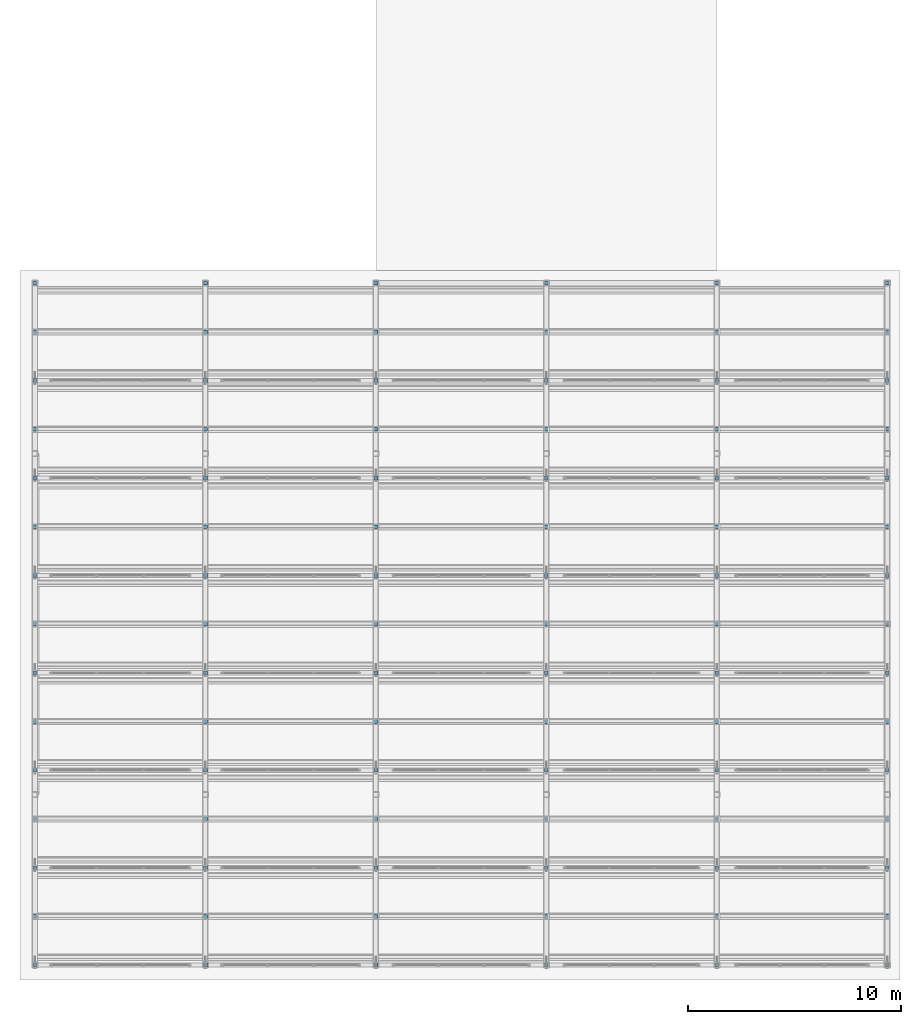
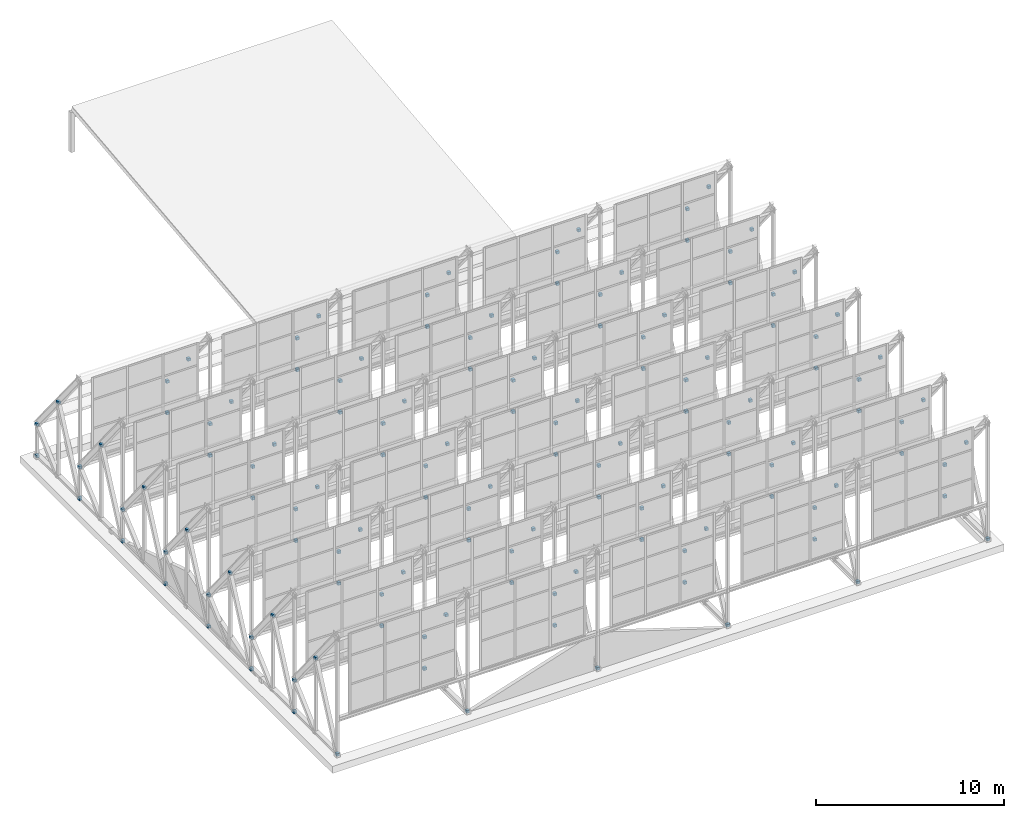
# One storey, part 33 of 34: 132 discrete accessories.
"""IFC4 building model written with IfcOpenShell, lengths in metres."""

from ifc_helpers import new_model, si_unit, direction, frame, origin, origin_2d, place, context, subcontext, project, spatial, rectangle, extrude, material, type_object, element, save


model = new_model("IFC4")

# Units and contexts
model_context = context("Model", 3, precision=1e-05, world=origin(), true_north=direction((0.0, 1.0)))
body_context = subcontext(model_context, "Body", "Model", "MODEL_VIEW")
ifc_project = project(units=[si_unit("LENGTHUNIT", "METRE"), si_unit("AREAUNIT", "SQUARE_METRE"), si_unit("VOLUMEUNIT", "CUBIC_METRE"), si_unit("PLANEANGLEUNIT", "RADIAN"), si_unit("MASSUNIT", "GRAM", prefix="KILO")], contexts=[model_context])

# Site, building, storey
site_placement = place(None, origin())
site = spatial("IfcSite", under=ifc_project, at=site_placement, CompositionType="ELEMENT")
building_placement = place(site_placement, origin())
building = spatial("IfcBuilding", under=site, at=building_placement, Name="Qorikala Patio Media Centre", CompositionType="ELEMENT")
storey_placement = place(building_placement, frame((0.0, 0.0, 32.699951171875)))
storey = spatial("IfcBuildingStorey", under=building, at=storey_placement, Name="RF", CompositionType="ELEMENT", Elevation=32.699951171875)

# Discrete accessories
ifc_material = material(Name="Steel S355", Category="steel")
discrete_accessory_type = type_object("IfcDiscreteAccessoryType", Name="ACC-BRACKET", PredefinedType="BRACKET", material=ifc_material)
for number, where, z_axis, x_axis, name in (
    (1, (3.0, 3.0, 0.26025390625), (0.0, 0.0, 1.0), (1.0, 0.0, 0.0), "RF Brace End Bolted Connection Bracket 0001"),
    (2, (3.0, 5.28564453125, 5.13525390625), (0.0, 0.0, 1.0), (1.0, 0.0, 0.0), "RF Brace End Bolted Connection Bracket 0002"),
    (3, (3.0, 7.5712890625, 2.31005859375), (0.0, 0.0, 1.0), (1.0, 0.0, 0.0), "RF Brace End Bolted Connection Bracket 0003"),
    (4, (3.0, 7.5712890625, 0.26025390625), (0.0, 0.0, 1.0), (1.0, 0.0, 0.0), "RF Brace End Bolted Connection Bracket 0004"),
    (5, (3.0, 9.857177734375, 5.13525390625), (0.0, 0.0, 1.0), (1.0, 0.0, 0.0), "RF Brace End Bolted Connection Bracket 0005"),
    (6, (3.0, 12.142822265625, 2.31005859375), (0.0, 0.0, 1.0), (1.0, 0.0, 0.0), "RF Brace End Bolted Connection Bracket 0006"),
    (7, (3.0, 12.142822265625, 0.26025390625), (0.0, 0.0, 1.0), (1.0, 0.0, 0.0), "RF Brace End Bolted Connection Bracket 0007"),
    (8, (3.0, 14.4287109375, 5.13525390625), (0.0, 0.0, 1.0), (1.0, 0.0, 0.0), "RF Brace End Bolted Connection Bracket 0008"),
    (9, (3.0, 16.71435546875, 2.31005859375), (0.0, 0.0, 1.0), (1.0, 0.0, 0.0), "RF Brace End Bolted Connection Bracket 0009"),
    (10, (3.0, 16.71435546875, 0.26025390625), (0.0, 0.0, 1.0), (1.0, 0.0, 0.0), "RF Brace End Bolted Connection Bracket 0010"),
    (11, (3.0, 19.0, 5.13525390625), (0.0, 0.0, 1.0), (1.0, 0.0, 0.0), "RF Brace End Bolted Connection Bracket 0011"),
    (12, (3.0, 21.28564453125, 2.31005859375), (0.0, 0.0, 1.0), (1.0, 0.0, 0.0), "RF Brace End Bolted Connection Bracket 0012"),
    (13, (3.0, 21.28564453125, 0.26025390625), (0.0, 0.0, 1.0), (1.0, 0.0, 0.0), "RF Brace End Bolted Connection Bracket 0013"),
    (14, (3.0, 23.5712890625, 5.13525390625), (0.0, 0.0, 1.0), (1.0, 0.0, 0.0), "RF Brace End Bolted Connection Bracket 0014"),
    (15, (3.0, 25.857177734375, 2.31005859375), (0.0, 0.0, 1.0), (1.0, 0.0, 0.0), "RF Brace End Bolted Connection Bracket 0015"),
    (16, (3.0, 25.857177734375, 0.26025390625), (0.0, 0.0, 1.0), (1.0, 0.0, 0.0), "RF Brace End Bolted Connection Bracket 0016"),
    (17, (3.0, 28.142822265625, 5.13525390625), (0.0, 0.0, 1.0), (1.0, 0.0, 0.0), "RF Brace End Bolted Connection Bracket 0017"),
    (18, (3.0, 30.428466796875, 2.31005859375), (0.0, 0.0, 1.0), (1.0, 0.0, 0.0), "RF Brace End Bolted Connection Bracket 0018"),
    (19, (3.0, 30.4287109375, 0.26025390625), (0.0, 0.0, 1.0), (1.0, 0.0, 0.0), "RF Brace End Bolted Connection Bracket 0019"),
    (20, (3.0, 35.0, 0.26025390625), (0.0, 0.0, 1.0), (1.0, 0.0, 0.0), "RF Brace End Bolted Connection Bracket 0020"),
    (21, (3.0, 35.0, 2.31005859375), (0.0, 0.0, 1.0), (1.0, 0.0, 0.0), "RF Brace End Bolted Connection Bracket 0021"),
    (22, (3.0, 32.71435546875, 5.13525390625), (0.0, 0.0, 1.0), (1.0, 0.0, 0.0), "RF Brace End Bolted Connection Bracket 0022"),
    (23, (11.0, 3.0, 0.26025390625), (0.0, 0.0, 1.0), (1.0, 0.0, 0.0), "RF Brace End Bolted Connection Bracket 0023"),
    (24, (11.0, 5.28564453125, 5.13525390625), (0.0, 0.0, 1.0), (1.0, 0.0, 0.0), "RF Brace End Bolted Connection Bracket 0024"),
    (25, (11.0, 7.5712890625, 2.31005859375), (0.0, 0.0, 1.0), (1.0, 0.0, 0.0), "RF Brace End Bolted Connection Bracket 0025"),
    (26, (11.0, 7.5712890625, 0.26025390625), (0.0, 0.0, 1.0), (1.0, 0.0, 0.0), "RF Brace End Bolted Connection Bracket 0026"),
    (27, (11.0, 9.857177734375, 5.13525390625), (0.0, 0.0, 1.0), (1.0, 0.0, 0.0), "RF Brace End Bolted Connection Bracket 0027"),
    (28, (11.0, 12.142822265625, 2.31005859375), (0.0, 0.0, 1.0), (1.0, 0.0, 0.0), "RF Brace End Bolted Connection Bracket 0028"),
    (29, (11.0, 12.142822265625, 0.26025390625), (0.0, 0.0, 1.0), (1.0, 0.0, 0.0), "RF Brace End Bolted Connection Bracket 0029"),
    (30, (11.0, 14.4287109375, 5.13525390625), (0.0, 0.0, 1.0), (1.0, 0.0, 0.0), "RF Brace End Bolted Connection Bracket 0030"),
    (31, (11.0, 16.71435546875, 2.31005859375), (0.0, 0.0, 1.0), (1.0, 0.0, 0.0), "RF Brace End Bolted Connection Bracket 0031"),
    (32, (11.0, 16.71435546875, 0.26025390625), (0.0, 0.0, 1.0), (1.0, 0.0, 0.0), "RF Brace End Bolted Connection Bracket 0032"),
    (33, (11.0, 19.0, 5.13525390625), (0.0, 0.0, 1.0), (1.0, 0.0, 0.0), "RF Brace End Bolted Connection Bracket 0033"),
    (34, (11.0, 21.28564453125, 2.31005859375), (0.0, 0.0, 1.0), (1.0, 0.0, 0.0), "RF Brace End Bolted Connection Bracket 0034"),
    (35, (11.0, 21.28564453125, 0.26025390625), (0.0, 0.0, 1.0), (1.0, 0.0, 0.0), "RF Brace End Bolted Connection Bracket 0035"),
    (36, (11.0, 23.5712890625, 5.13525390625), (0.0, 0.0, 1.0), (1.0, 0.0, 0.0), "RF Brace End Bolted Connection Bracket 0036"),
    (37, (11.0, 25.857177734375, 2.31005859375), (0.0, 0.0, 1.0), (1.0, 0.0, 0.0), "RF Brace End Bolted Connection Bracket 0037"),
    (38, (11.0, 25.857177734375, 0.26025390625), (0.0, 0.0, 1.0), (1.0, 0.0, 0.0), "RF Brace End Bolted Connection Bracket 0038"),
    (39, (11.0, 28.142822265625, 5.13525390625), (0.0, 0.0, 1.0), (1.0, 0.0, 0.0), "RF Brace End Bolted Connection Bracket 0039"),
    (40, (11.0, 30.428466796875, 2.31005859375), (0.0, 0.0, 1.0), (1.0, 0.0, 0.0), "RF Brace End Bolted Connection Bracket 0040"),
    (41, (11.0, 30.4287109375, 0.26025390625), (0.0, 0.0, 1.0), (1.0, 0.0, 0.0), "RF Brace End Bolted Connection Bracket 0041"),
    (42, (11.0, 35.0, 0.26025390625), (0.0, 0.0, 1.0), (1.0, 0.0, 0.0), "RF Brace End Bolted Connection Bracket 0042"),
    (43, (11.0, 35.0, 2.31005859375), (0.0, 0.0, 1.0), (1.0, 0.0, 0.0), "RF Brace End Bolted Connection Bracket 0043"),
    (44, (11.0, 32.71435546875, 5.13525390625), (0.0, 0.0, 1.0), (1.0, 0.0, 0.0), "RF Brace End Bolted Connection Bracket 0044"),
    (45, (19.0, 3.0, 0.26025390625), (0.0, 0.0, 1.0), (1.0, 0.0, 0.0), "RF Brace End Bolted Connection Bracket 0045"),
    (46, (19.0, 5.28564453125, 5.13525390625), (0.0, 0.0, 1.0), (1.0, 0.0, 0.0), "RF Brace End Bolted Connection Bracket 0046"),
    (47, (19.0, 7.5712890625, 2.31005859375), (0.0, 0.0, 1.0), (1.0, 0.0, 0.0), "RF Brace End Bolted Connection Bracket 0047"),
    (48, (19.0, 7.5712890625, 0.26025390625), (0.0, 0.0, 1.0), (1.0, 0.0, 0.0), "RF Brace End Bolted Connection Bracket 0048"),
    (49, (19.0, 9.857177734375, 5.13525390625), (0.0, 0.0, 1.0), (1.0, 0.0, 0.0), "RF Brace End Bolted Connection Bracket 0049"),
    (50, (19.0, 12.142822265625, 2.31005859375), (0.0, 0.0, 1.0), (1.0, 0.0, 0.0), "RF Brace End Bolted Connection Bracket 0050"),
    (51, (19.0, 12.142822265625, 0.26025390625), (0.0, 0.0, 1.0), (1.0, 0.0, 0.0), "RF Brace End Bolted Connection Bracket 0051"),
    (52, (19.0, 14.4287109375, 5.13525390625), (0.0, 0.0, 1.0), (1.0, 0.0, 0.0), "RF Brace End Bolted Connection Bracket 0052"),
    (53, (19.0, 16.71435546875, 2.31005859375), (0.0, 0.0, 1.0), (1.0, 0.0, 0.0), "RF Brace End Bolted Connection Bracket 0053"),
    (54, (19.0, 16.71435546875, 0.26025390625), (0.0, 0.0, 1.0), (1.0, 0.0, 0.0), "RF Brace End Bolted Connection Bracket 0054"),
    (55, (19.0, 19.0, 5.13525390625), (0.0, 0.0, 1.0), (1.0, 0.0, 0.0), "RF Brace End Bolted Connection Bracket 0055"),
    (56, (19.0, 21.28564453125, 2.31005859375), (0.0, 0.0, 1.0), (1.0, 0.0, 0.0), "RF Brace End Bolted Connection Bracket 0056"),
    (57, (19.0, 21.28564453125, 0.26025390625), (0.0, 0.0, 1.0), (1.0, 0.0, 0.0), "RF Brace End Bolted Connection Bracket 0057"),
    (58, (19.0, 23.5712890625, 5.13525390625), (0.0, 0.0, 1.0), (1.0, 0.0, 0.0), "RF Brace End Bolted Connection Bracket 0058"),
    (59, (19.0, 25.857177734375, 2.31005859375), (0.0, 0.0, 1.0), (1.0, 0.0, 0.0), "RF Brace End Bolted Connection Bracket 0059"),
    (60, (19.0, 25.857177734375, 0.26025390625), (0.0, 0.0, 1.0), (1.0, 0.0, 0.0), "RF Brace End Bolted Connection Bracket 0060"),
    (61, (19.0, 28.142822265625, 5.13525390625), (0.0, 0.0, 1.0), (1.0, 0.0, 0.0), "RF Brace End Bolted Connection Bracket 0061"),
    (62, (19.0, 30.428466796875, 2.31005859375), (0.0, 0.0, 1.0), (1.0, 0.0, 0.0), "RF Brace End Bolted Connection Bracket 0062"),
    (63, (19.0, 30.4287109375, 0.26025390625), (0.0, 0.0, 1.0), (1.0, 0.0, 0.0), "RF Brace End Bolted Connection Bracket 0063"),
    (64, (19.0, 35.0, 0.26025390625), (0.0, 0.0, 1.0), (1.0, 0.0, 0.0), "RF Brace End Bolted Connection Bracket 0064"),
    (65, (19.0, 35.0, 2.31005859375), (0.0, 0.0, 1.0), (1.0, 0.0, 0.0), "RF Brace End Bolted Connection Bracket 0065"),
    (66, (19.0, 32.71435546875, 5.13525390625), (0.0, 0.0, 1.0), (1.0, 0.0, 0.0), "RF Brace End Bolted Connection Bracket 0066"),
    (67, (27.0, 3.0, 0.26025390625), (0.0, 0.0, 1.0), (1.0, 0.0, 0.0), "RF Brace End Bolted Connection Bracket 0067"),
    (68, (27.0, 5.28564453125, 5.13525390625), (0.0, 0.0, 1.0), (1.0, 0.0, 0.0), "RF Brace End Bolted Connection Bracket 0068"),
    (69, (27.0, 7.5712890625, 2.31005859375), (0.0, 0.0, 1.0), (1.0, 0.0, 0.0), "RF Brace End Bolted Connection Bracket 0069"),
    (70, (27.0, 7.5712890625, 0.26025390625), (0.0, 0.0, 1.0), (1.0, 0.0, 0.0), "RF Brace End Bolted Connection Bracket 0070"),
    (71, (27.0, 9.857177734375, 5.13525390625), (0.0, 0.0, 1.0), (1.0, 0.0, 0.0), "RF Brace End Bolted Connection Bracket 0071"),
    (72, (27.0, 12.142822265625, 2.31005859375), (0.0, 0.0, 1.0), (1.0, 0.0, 0.0), "RF Brace End Bolted Connection Bracket 0072"),
    (73, (27.0, 12.142822265625, 0.26025390625), (0.0, 0.0, 1.0), (1.0, 0.0, 0.0), "RF Brace End Bolted Connection Bracket 0073"),
    (74, (27.0, 14.4287109375, 5.13525390625), (0.0, 0.0, 1.0), (1.0, 0.0, 0.0), "RF Brace End Bolted Connection Bracket 0074"),
    (75, (27.0, 16.71435546875, 2.31005859375), (0.0, 0.0, 1.0), (1.0, 0.0, 0.0), "RF Brace End Bolted Connection Bracket 0075"),
    (76, (27.0, 16.71435546875, 0.26025390625), (0.0, 0.0, 1.0), (1.0, 0.0, 0.0), "RF Brace End Bolted Connection Bracket 0076"),
    (77, (27.0, 19.0, 5.13525390625), (0.0, 0.0, 1.0), (1.0, 0.0, 0.0), "RF Brace End Bolted Connection Bracket 0077"),
    (78, (27.0, 21.28564453125, 2.31005859375), (0.0, 0.0, 1.0), (1.0, 0.0, 0.0), "RF Brace End Bolted Connection Bracket 0078"),
    (79, (27.0, 21.28564453125, 0.26025390625), (0.0, 0.0, 1.0), (1.0, 0.0, 0.0), "RF Brace End Bolted Connection Bracket 0079"),
    (80, (27.0, 23.5712890625, 5.13525390625), (0.0, 0.0, 1.0), (1.0, 0.0, 0.0), "RF Brace End Bolted Connection Bracket 0080"),
    (81, (27.0, 25.857177734375, 2.31005859375), (0.0, 0.0, 1.0), (1.0, 0.0, 0.0), "RF Brace End Bolted Connection Bracket 0081"),
    (82, (27.0, 25.857177734375, 0.26025390625), (0.0, 0.0, 1.0), (1.0, 0.0, 0.0), "RF Brace End Bolted Connection Bracket 0082"),
    (83, (27.0, 28.142822265625, 5.13525390625), (0.0, 0.0, 1.0), (1.0, 0.0, 0.0), "RF Brace End Bolted Connection Bracket 0083"),
    (84, (27.0, 30.428466796875, 2.31005859375), (0.0, 0.0, 1.0), (1.0, 0.0, 0.0), "RF Brace End Bolted Connection Bracket 0084"),
    (85, (27.0, 30.4287109375, 0.26025390625), (0.0, 0.0, 1.0), (1.0, 0.0, 0.0), "RF Brace End Bolted Connection Bracket 0085"),
    (86, (27.0, 35.0, 0.26025390625), (0.0, 0.0, 1.0), (1.0, 0.0, 0.0), "RF Brace End Bolted Connection Bracket 0086"),
    (87, (27.0, 35.0, 2.31005859375), (0.0, 0.0, 1.0), (1.0, 0.0, 0.0), "RF Brace End Bolted Connection Bracket 0087"),
    (88, (27.0, 32.71435546875, 5.13525390625), (0.0, 0.0, 1.0), (1.0, 0.0, 0.0), "RF Brace End Bolted Connection Bracket 0088"),
    (89, (35.0, 3.0, 0.26025390625), (0.0, 0.0, 1.0), (1.0, 0.0, 0.0), "RF Brace End Bolted Connection Bracket 0089"),
    (90, (35.0, 5.28564453125, 5.13525390625), (0.0, 0.0, 1.0), (1.0, 0.0, 0.0), "RF Brace End Bolted Connection Bracket 0090"),
    (91, (35.0, 7.5712890625, 2.31005859375), (0.0, 0.0, 1.0), (1.0, 0.0, 0.0), "RF Brace End Bolted Connection Bracket 0091"),
    (92, (35.0, 7.5712890625, 0.26025390625), (0.0, 0.0, 1.0), (1.0, 0.0, 0.0), "RF Brace End Bolted Connection Bracket 0092"),
    (93, (35.0, 9.857177734375, 5.13525390625), (0.0, 0.0, 1.0), (1.0, 0.0, 0.0), "RF Brace End Bolted Connection Bracket 0093"),
    (94, (35.0, 12.142822265625, 2.31005859375), (0.0, 0.0, 1.0), (1.0, 0.0, 0.0), "RF Brace End Bolted Connection Bracket 0094"),
    (95, (35.0, 12.142822265625, 0.26025390625), (0.0, 0.0, 1.0), (1.0, 0.0, 0.0), "RF Brace End Bolted Connection Bracket 0095"),
    (96, (35.0, 14.4287109375, 5.13525390625), (0.0, 0.0, 1.0), (1.0, 0.0, 0.0), "RF Brace End Bolted Connection Bracket 0096"),
    (97, (35.0, 16.71435546875, 2.31005859375), (0.0, 0.0, 1.0), (1.0, 0.0, 0.0), "RF Brace End Bolted Connection Bracket 0097"),
    (98, (35.0, 16.71435546875, 0.26025390625), (0.0, 0.0, 1.0), (1.0, 0.0, 0.0), "RF Brace End Bolted Connection Bracket 0098"),
    (99, (35.0, 19.0, 5.13525390625), (0.0, 0.0, 1.0), (1.0, 0.0, 0.0), "RF Brace End Bolted Connection Bracket 0099"),
    (100, (35.0, 21.28564453125, 2.31005859375), (0.0, 0.0, 1.0), (1.0, 0.0, 0.0), "RF Brace End Bolted Connection Bracket 0100"),
    (101, (35.0, 21.28564453125, 0.26025390625), (0.0, 0.0, 1.0), (1.0, 0.0, 0.0), "RF Brace End Bolted Connection Bracket 0101"),
    (102, (35.0, 23.5712890625, 5.13525390625), (0.0, 0.0, 1.0), (1.0, 0.0, 0.0), "RF Brace End Bolted Connection Bracket 0102"),
    (103, (35.0, 25.857177734375, 2.31005859375), (0.0, 0.0, 1.0), (1.0, 0.0, 0.0), "RF Brace End Bolted Connection Bracket 0103"),
    (104, (35.0, 25.857177734375, 0.26025390625), (0.0, 0.0, 1.0), (1.0, 0.0, 0.0), "RF Brace End Bolted Connection Bracket 0104"),
    (105, (35.0, 28.142822265625, 5.13525390625), (0.0, 0.0, 1.0), (1.0, 0.0, 0.0), "RF Brace End Bolted Connection Bracket 0105"),
    (106, (35.0, 30.428466796875, 2.31005859375), (0.0, 0.0, 1.0), (1.0, 0.0, 0.0), "RF Brace End Bolted Connection Bracket 0106"),
    (107, (35.0, 30.4287109375, 0.26025390625), (0.0, 0.0, 1.0), (1.0, 0.0, 0.0), "RF Brace End Bolted Connection Bracket 0107"),
    (108, (35.0, 35.0, 0.26025390625), (0.0, 0.0, 1.0), (1.0, 0.0, 0.0), "RF Brace End Bolted Connection Bracket 0108"),
    (109, (35.0, 35.0, 2.31005859375), (0.0, 0.0, 1.0), (1.0, 0.0, 0.0), "RF Brace End Bolted Connection Bracket 0109"),
    (110, (35.0, 32.71435546875, 5.13525390625), (0.0, 0.0, 1.0), (1.0, 0.0, 0.0), "RF Brace End Bolted Connection Bracket 0110"),
    (111, (43.0, 3.0, 0.26025390625), (0.0, 0.0, 1.0), (1.0, 0.0, 0.0), "RF Brace End Bolted Connection Bracket 0111"),
    (112, (43.0, 5.28564453125, 5.13525390625), (0.0, 0.0, 1.0), (1.0, 0.0, 0.0), "RF Brace End Bolted Connection Bracket 0112"),
    (113, (43.0, 7.5712890625, 2.31005859375), (0.0, 0.0, 1.0), (1.0, 0.0, 0.0), "RF Brace End Bolted Connection Bracket 0113"),
    (114, (43.0, 7.5712890625, 0.26025390625), (0.0, 0.0, 1.0), (1.0, 0.0, 0.0), "RF Brace End Bolted Connection Bracket 0114"),
    (115, (43.0, 9.857177734375, 5.13525390625), (0.0, 0.0, 1.0), (1.0, 0.0, 0.0), "RF Brace End Bolted Connection Bracket 0115"),
    (116, (43.0, 12.142822265625, 2.31005859375), (0.0, 0.0, 1.0), (1.0, 0.0, 0.0), "RF Brace End Bolted Connection Bracket 0116"),
    (117, (43.0, 12.142822265625, 0.26025390625), (0.0, 0.0, 1.0), (1.0, 0.0, 0.0), "RF Brace End Bolted Connection Bracket 0117"),
    (118, (43.0, 14.4287109375, 5.13525390625), (0.0, 0.0, 1.0), (1.0, 0.0, 0.0), "RF Brace End Bolted Connection Bracket 0118"),
    (119, (43.0, 16.71435546875, 2.31005859375), (0.0, 0.0, 1.0), (1.0, 0.0, 0.0), "RF Brace End Bolted Connection Bracket 0119"),
    (120, (43.0, 16.71435546875, 0.26025390625), (0.0, 0.0, 1.0), (1.0, 0.0, 0.0), "RF Brace End Bolted Connection Bracket 0120"),
    (121, (43.0, 19.0, 5.13525390625), (0.0, 0.0, 1.0), (1.0, 0.0, 0.0), "RF Brace End Bolted Connection Bracket 0121"),
    (122, (43.0, 21.28564453125, 2.31005859375), (0.0, 0.0, 1.0), (1.0, 0.0, 0.0), "RF Brace End Bolted Connection Bracket 0122"),
    (123, (43.0, 21.28564453125, 0.26025390625), (0.0, 0.0, 1.0), (1.0, 0.0, 0.0), "RF Brace End Bolted Connection Bracket 0123"),
    (124, (43.0, 23.5712890625, 5.13525390625), (0.0, 0.0, 1.0), (1.0, 0.0, 0.0), "RF Brace End Bolted Connection Bracket 0124"),
    (125, (43.0, 25.857177734375, 2.31005859375), (0.0, 0.0, 1.0), (1.0, 0.0, 0.0), "RF Brace End Bolted Connection Bracket 0125"),
    (126, (43.0, 25.857177734375, 0.26025390625), (0.0, 0.0, 1.0), (1.0, 0.0, 0.0), "RF Brace End Bolted Connection Bracket 0126"),
    (127, (43.0, 28.142822265625, 5.13525390625), (0.0, 0.0, 1.0), (1.0, 0.0, 0.0), "RF Brace End Bolted Connection Bracket 0127"),
    (128, (43.0, 30.428466796875, 2.31005859375), (0.0, 0.0, 1.0), (1.0, 0.0, 0.0), "RF Brace End Bolted Connection Bracket 0128"),
    (129, (43.0, 30.4287109375, 0.26025390625), (0.0, 0.0, 1.0), (1.0, 0.0, 0.0), "RF Brace End Bolted Connection Bracket 0129"),
    (130, (43.0, 35.0, 0.26025390625), (0.0, 0.0, 1.0), (1.0, 0.0, 0.0), "RF Brace End Bolted Connection Bracket 0130"),
    (131, (43.0, 35.0, 2.31005859375), (0.0, 0.0, 1.0), (1.0, 0.0, 0.0), "RF Brace End Bolted Connection Bracket 0131"),
    (132, (43.0, 32.71435546875, 5.13525390625), (0.0, 0.0, 1.0), (1.0, 0.0, 0.0), "RF Brace End Bolted Connection Bracket 0132"),
):
    element("IfcDiscreteAccessory", number, at=place(storey_placement, frame(where, z_axis=z_axis, x_axis=x_axis)), inside=storey, type_object=discrete_accessory_type, Name=name, PredefinedType="BRACKET", context=body_context, shape_type="SweptSolid", body=[
        extrude(rectangle(XDim=0.179931640625, YDim=0.179931640625, at=origin_2d()), origin(), (0.0, 0.0, 1.0), 0.179931640625),
    ])

save(model, "model.ifc")
